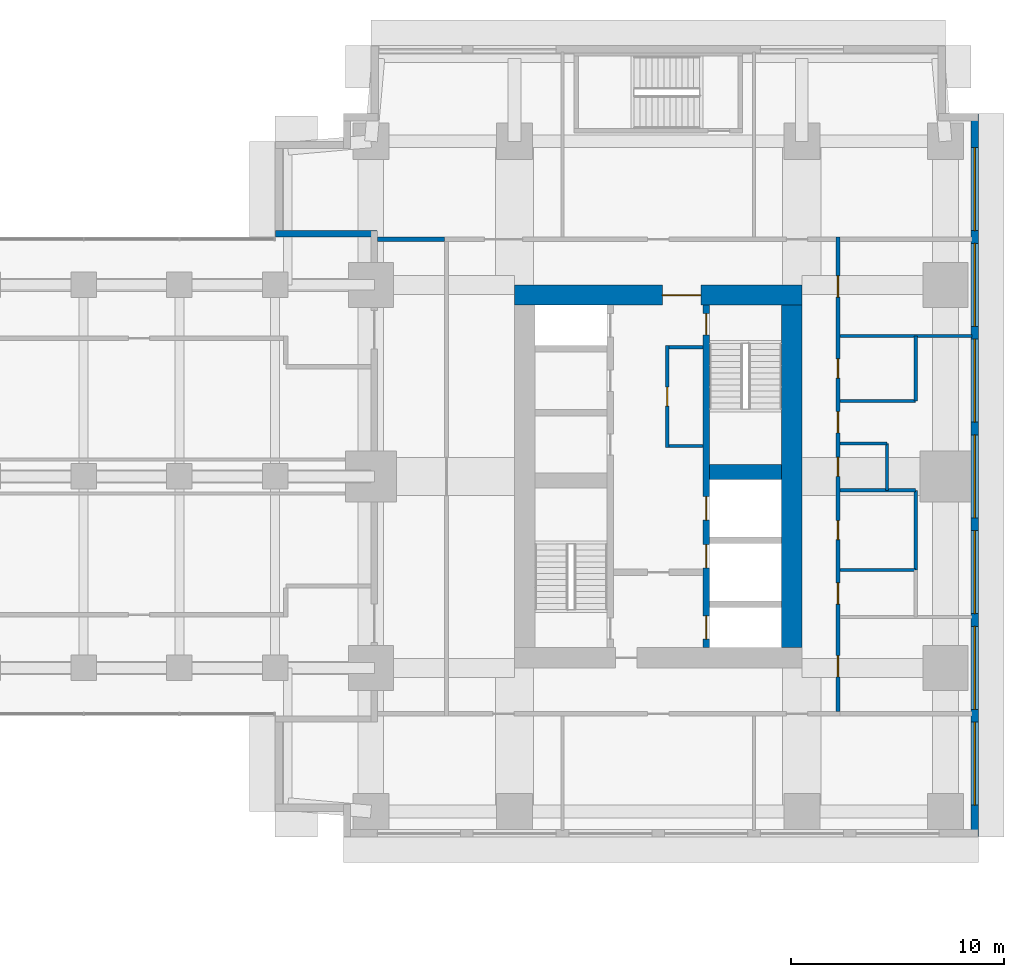
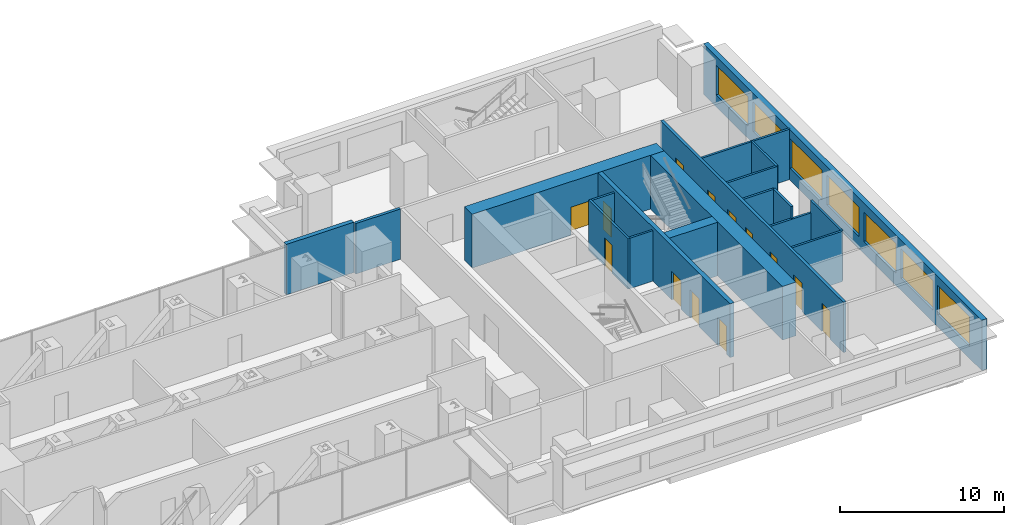
# One storey, part 11 of 16: 19 walls, 13 doors, 7 windows, 20 openings.
"""IFC4 building model written with IfcOpenShell, lengths in metres."""

from ifc_helpers import new_model, si_unit, direction, frame, frame_2d, origin, place, context, subcontext, project, spatial, rectangle, extrude, material, layer, layer_set, type_object, element, fill, save


model = new_model("IFC4")

# Units and contexts
model_context = context("Model", 3, precision=1e-05, world=origin(), true_north=direction((0.0, 1.0)))
body_context = subcontext(model_context, "Body", "Model", "MODEL_VIEW")
ifc_project = project(units=[si_unit("LENGTHUNIT", "METRE"), si_unit("AREAUNIT", "SQUARE_METRE"), si_unit("VOLUMEUNIT", "CUBIC_METRE"), si_unit("PLANEANGLEUNIT", "RADIAN"), si_unit("MASSUNIT", "GRAM", prefix="KILO")], contexts=[model_context])

# Site, building, storey
site_placement = place(None, origin())
site = spatial("IfcSite", under=ifc_project, at=site_placement, CompositionType="ELEMENT")
building_placement = place(site_placement, origin())
building = spatial("IfcBuilding", under=site, at=building_placement, Name="Namib Vertical Campus", CompositionType="ELEMENT")
storey_placement = place(building_placement, frame((0.0, 0.0, 117.0)))
storey = spatial("IfcBuildingStorey", under=building, at=storey_placement, Name="L27", CompositionType="ELEMENT", Elevation=117.0)

# Wall, openings, doors
ifc_material_1 = material(Name="Concrete C60/75", Category="concrete")
ifc_layer_1 = layer(ifc_material_1, 0.300048828125)
ifc_layer_set_1 = layer_set([ifc_layer_1], Name="Concrete C60/75")
wall_type_1 = type_object("IfcWallType", Name="Core inner wall 300", PredefinedType="SHEAR", material=ifc_layer_set_1)
wall_1_placement = place(storey_placement, frame((83.25, 12.199951171875, 0.0), z_axis=(0.0, 0.0, 1.0), x_axis=(0.0, 1.0, 0.0)))
wall_1 = element("IfcWall", 1, at=wall_1_placement, inside=storey, type_object=wall_type_1, Name="Core inner wall B L27 W2", PredefinedType="SHEAR", context=body_context, shape_type="SweptSolid", body=[
    extrude(rectangle(XDim=16.10009765625, YDim=0.300048828125, at=frame_2d((8.050048828125, 0.0))), origin(), (0.0, 0.0, 1.0), 4.0),
])
opening_1_placement = place(wall_1_placement, frame((14.699951171875, 0.0, 0.0)))
opening_1 = element("IfcOpeningElement", 2, at=opening_1_placement, cuts=wall_1, Name="Opening FD1", PredefinedType="OPENING", context=body_context, shape_type="SweptSolid", body=[
    extrude(rectangle(XDim=1.0, YDim=2.10009765625, at=frame_2d((0.5, 1.050048828125))), frame((0.0, 0.159912109375, 0.0), z_axis=(0.0, -1.0, 0.0), x_axis=(1.0, 0.0, 0.0)), (0.0, 0.0, 1.0), 0.320068359375),
])
opening_2_placement = place(wall_1_placement, frame((0.39990234375, 0.0, 0.0)))
opening_2 = element("IfcOpeningElement", 3, at=opening_2_placement, cuts=wall_1, Name="Opening LD1", PredefinedType="OPENING", context=body_context, shape_type="SweptSolid", body=[
    extrude(rectangle(XDim=1.10009765625, YDim=2.10009765625, at=frame_2d((0.550048828125, 1.050048828125))), frame((0.0, 0.159912109375, 0.0), z_axis=(0.0, -1.0, 0.0), x_axis=(1.0, 0.0, 0.0)), (0.0, 0.0, 1.0), 0.320068359375),
])
opening_3_placement = place(wall_1_placement, frame((3.75, 0.0, 0.0)))
opening_3 = element("IfcOpeningElement", 4, at=opening_3_placement, cuts=wall_1, Name="Opening LD1", PredefinedType="OPENING", context=body_context, shape_type="SweptSolid", body=[
    extrude(rectangle(XDim=1.10009765625, YDim=2.10009765625, at=frame_2d((0.550048828125, 1.050048828125))), frame((0.0, 0.159912109375, 0.0), z_axis=(0.0, -1.0, 0.0), x_axis=(1.0, 0.0, 0.0)), (0.0, 0.0, 1.0), 0.320068359375),
])
opening_4_placement = place(wall_1_placement, frame((6.0, 0.0, 0.0)))
opening_4 = element("IfcOpeningElement", 5, at=opening_4_placement, cuts=wall_1, Name="Opening LD1", PredefinedType="OPENING", context=body_context, shape_type="SweptSolid", body=[
    extrude(rectangle(XDim=1.10009765625, YDim=2.10009765625, at=frame_2d((0.550048828125, 1.050048828125))), frame((0.0, 0.159912109375, 0.0), z_axis=(0.0, -1.0, 0.0), x_axis=(1.0, 0.0, 0.0)), (0.0, 0.0, 1.0), 0.320068359375),
])
ifc_material_2 = material(Name="Steel fire door", Category="steel")
door_type_1 = type_object("IfcDoorType", Name="Fire door 1000x2100", OperationType="SINGLE_SWING_RIGHT", PredefinedType="DOOR", material=ifc_material_2)
door_1_placement = place(opening_1_placement, frame((1.0, 0.0, 0.0), z_axis=(0.0, 0.0, 1.0), x_axis=(-1.0, 0.0, 0.0)))
door_1 = element("IfcDoor", 6, at=door_1_placement, inside=storey, type_object=door_type_1, Name="Stair door FD1 B L27 S2", OperationType="SINGLE_SWING_LEFT", OverallHeight=2.10009765625, OverallWidth=1.0, PredefinedType="DOOR", context=body_context, shape_type="SweptSolid", body=[
    extrude(rectangle(XDim=1.0, YDim=2.10009765625, at=frame_2d((0.5, 1.050048828125))), frame((0.0, 0.02490234375, 0.0), z_axis=(0.0, -1.0, 0.0), x_axis=(1.0, 0.0, 0.0)), (0.0, 0.0, 1.0), 0.050048828125),
])
fill(opening_1, door_1)
ifc_material_3 = material(Name="Stainless steel lift door", Category="steel")
door_type_2 = type_object("IfcDoorType", Name="Lift landing door 1100x2100", OperationType="DOUBLE_DOOR_SLIDING", PredefinedType="DOOR", material=ifc_material_3)
door_2_placement = place(opening_2_placement, origin())
door_2 = element("IfcDoor", 7, at=door_2_placement, inside=storey, type_object=door_type_2, Name="Lift landing door LD1 B-FL1 L27", OperationType="DOUBLE_DOOR_SLIDING", OverallHeight=2.10009765625, OverallWidth=1.10009765625, PredefinedType="DOOR", context=body_context, shape_type="SweptSolid", body=[
    extrude(rectangle(XDim=1.10009765625, YDim=2.10009765625, at=frame_2d((0.550048828125, 1.050048828125))), frame((0.0, 0.02490234375, 0.0), z_axis=(0.0, -1.0, 0.0), x_axis=(1.0, 0.0, 0.0)), (0.0, 0.0, 1.0), 0.050048828125),
])
fill(opening_2, door_2)
door_3_placement = place(opening_3_placement, origin())
door_3 = element("IfcDoor", 8, at=door_3_placement, inside=storey, type_object=door_type_2, Name="Lift landing door LD1 B-P4 L27", OperationType="DOUBLE_DOOR_SLIDING", OverallHeight=2.10009765625, OverallWidth=1.10009765625, PredefinedType="DOOR", context=body_context, shape_type="SweptSolid", body=[
    extrude(rectangle(XDim=1.10009765625, YDim=2.10009765625, at=frame_2d((0.550048828125, 1.050048828125))), frame((0.0, 0.02490234375, 0.0), z_axis=(0.0, -1.0, 0.0), x_axis=(1.0, 0.0, 0.0)), (0.0, 0.0, 1.0), 0.050048828125),
])
fill(opening_3, door_3)
door_4_placement = place(opening_4_placement, origin())
door_4 = element("IfcDoor", 9, at=door_4_placement, inside=storey, type_object=door_type_2, Name="Lift landing door LD1 B-P5 L27", OperationType="DOUBLE_DOOR_SLIDING", OverallHeight=2.10009765625, OverallWidth=1.10009765625, PredefinedType="DOOR", context=body_context, shape_type="SweptSolid", body=[
    extrude(rectangle(XDim=1.10009765625, YDim=2.10009765625, at=frame_2d((0.550048828125, 1.050048828125))), frame((0.0, 0.02490234375, 0.0), z_axis=(0.0, -1.0, 0.0), x_axis=(1.0, 0.0, 0.0)), (0.0, 0.0, 1.0), 0.050048828125),
])
fill(opening_4, door_4)

# Walls
ifc_material_4 = material(Name="Concrete C60/75", Category="concrete")
ifc_layer_2 = layer(ifc_material_4, 0.699951171875)
ifc_layer_set_2 = layer_set([ifc_layer_2], Name="Concrete C60/75")
wall_type_2 = type_object("IfcWallType", Name="Core shear wall 700", PredefinedType="SHEAR", material=ifc_layer_set_2)
wall_2_placement = place(storey_placement, frame((83.39990234375, 20.449951171875, 0.0), z_axis=(0.0, 0.0, 1.0), x_axis=(1.0, 0.0, 0.0)))
element("IfcWall", 10, at=wall_2_placement, inside=storey, type_object=wall_type_2, Name="Core shear wall B L27 W7", PredefinedType="SHEAR", context=body_context, shape_type="SweptSolid", body=[
    extrude(rectangle(XDim=3.400146484375, YDim=0.699951171875, at=frame_2d((1.7001953125, 0.0))), origin(), (0.0, 0.0, 1.0), 4.0),
])
ifc_material_5 = material(Name="Concrete C60/75", Category="concrete")
ifc_layer_3 = layer(ifc_material_5, 0.949951171875)
ifc_layer_set_3 = layer_set([ifc_layer_3], Name="Concrete C60/75")
wall_type_3 = type_object("IfcWallType", Name="Core wall 950", PredefinedType="SHEAR", material=ifc_layer_set_3)
wall_3_placement = place(storey_placement, frame((87.27490234375, 12.199951171875, 0.0), z_axis=(0.0, 0.0, 1.0), x_axis=(0.0, 1.0, 0.0)))
element("IfcWall", 11, at=wall_3_placement, inside=storey, type_object=wall_type_3, Name="Core wall B L27 2", PredefinedType="SHEAR", context=body_context, shape_type="SweptSolid", body=[
    extrude(rectangle(XDim=16.10009765625, YDim=0.949951171875, at=frame_2d((8.050048828125, 0.0))), origin(), (0.0, 0.0, 1.0), 4.0),
])

# Wall, opening, door
wall_4_placement = place(storey_placement, frame((87.75, 28.77490234375, 0.0), z_axis=(0.0, 0.0, 1.0), x_axis=(-1.0, 0.0, 0.0)))
wall_4 = element("IfcWall", 12, at=wall_4_placement, inside=storey, type_object=wall_type_3, Name="Core wall B L27 3", PredefinedType="SHEAR", context=body_context, shape_type="SweptSolid", body=[
    extrude(rectangle(XDim=13.5, YDim=0.949951171875, at=frame_2d((6.75, 0.0))), origin(), (0.0, 0.0, 1.0), 4.0),
])
opening_5_placement = place(wall_4_placement, frame((4.75, 0.0, 0.0)))
opening_5 = element("IfcOpeningElement", 13, at=opening_5_placement, cuts=wall_4, Name="Opening FD2", PredefinedType="OPENING", context=body_context, shape_type="SweptSolid", body=[
    extrude(rectangle(XDim=1.800048828125, YDim=2.10009765625, at=frame_2d((0.89990234375, 1.050048828125))), frame((0.0, 0.48486328125, 0.0), z_axis=(0.0, -1.0, 0.0), x_axis=(1.0, 0.0, 0.0)), (0.0, 0.0, 1.0), 0.969970703125),
])
ifc_material_6 = material(Name="Steel fire door", Category="steel")
door_type_3 = type_object("IfcDoorType", Name="Fire door double 1800x2100", OperationType="DOUBLE_DOOR_SINGLE_SWING", PredefinedType="DOOR", material=ifc_material_6)
door_5_placement = place(opening_5_placement, origin())
door_5 = element("IfcDoor", 14, at=door_5_placement, inside=storey, type_object=door_type_3, Name="Lift lobby door FD2 B L27", OperationType="DOUBLE_DOOR_SINGLE_SWING", OverallHeight=2.10009765625, OverallWidth=1.800048828125, PredefinedType="DOOR", context=body_context, shape_type="SweptSolid", body=[
    extrude(rectangle(XDim=1.800048828125, YDim=2.10009765625, at=frame_2d((0.89990234375, 1.050048828125))), frame((0.0, 0.02490234375, 0.0), z_axis=(0.0, -1.0, 0.0), x_axis=(1.0, 0.0, 0.0)), (0.0, 0.0, 1.0), 0.050048828125),
])
fill(opening_5, door_5)

# Wall, openings, doors
ifc_material_7 = material(Name="Concrete masonry", Category="masonry")
ifc_layer_4 = layer(ifc_material_7, 0.199951171875)
ifc_layer_set_4 = layer_set([ifc_layer_4], Name="Corridor wall 200")
wall_type_4 = type_object("IfcWallType", Name="Corridor wall 200", PredefinedType="SOLIDWALL", material=ifc_layer_set_4)
wall_5_placement = place(storey_placement, frame((89.449951171875, 9.199951171875, 0.0), z_axis=(0.0, 0.0, 1.0), x_axis=(0.0, 1.0, 0.0)))
wall_5 = element("IfcWall", 15, at=wall_5_placement, inside=storey, type_object=wall_type_4, Name="Corridor wall B L27 CE", PredefinedType="SOLIDWALL", context=body_context, shape_type="SweptSolid", body=[
    extrude(rectangle(XDim=22.300048828125, YDim=0.199951171875, at=frame_2d((11.14990234375, 0.0))), origin(), (0.0, 0.0, 1.0), 3.75),
])
opening_6_placement = place(wall_5_placement, frame((1.625, 0.0, 0.0)))
opening_6 = element("IfcOpeningElement", 16, at=opening_6_placement, cuts=wall_5, Name="Opening CD1", PredefinedType="OPENING", context=body_context, shape_type="SweptSolid", body=[
    extrude(rectangle(XDim=1.0, YDim=2.10009765625, at=frame_2d((0.5, 1.050048828125))), frame((0.0, 0.10986328125, 0.0), z_axis=(0.0, -1.0, 0.0), x_axis=(1.0, 0.0, 0.0)), (0.0, 0.0, 1.0), 0.219970703125),
])
opening_7_placement = place(wall_5_placement, frame((5.050048828125, 0.0, 0.0)))
opening_7 = element("IfcOpeningElement", 17, at=opening_7_placement, cuts=wall_5, Name="Opening CD1", PredefinedType="OPENING", context=body_context, shape_type="SweptSolid", body=[
    extrude(rectangle(XDim=1.0, YDim=2.10009765625, at=frame_2d((0.5, 1.050048828125))), frame((0.0, 0.10986328125, 0.0), z_axis=(0.0, -1.0, 0.0), x_axis=(1.0, 0.0, 0.0)), (0.0, 0.0, 1.0), 0.219970703125),
])
opening_8_placement = place(wall_5_placement, frame((8.074951171875, 0.0, 0.0)))
opening_8 = element("IfcOpeningElement", 18, at=opening_8_placement, cuts=wall_5, Name="Opening CD3", PredefinedType="OPENING", context=body_context, shape_type="SweptSolid", body=[
    extrude(rectangle(XDim=0.89990234375, YDim=2.10009765625, at=frame_2d((0.449951171875, 1.050048828125))), frame((0.0, 0.10986328125, 0.0), z_axis=(0.0, -1.0, 0.0), x_axis=(1.0, 0.0, 0.0)), (0.0, 0.0, 1.0), 0.219970703125),
])
opening_9_placement = place(wall_5_placement, frame((11.050048828125, 0.0, 0.0)))
opening_9 = element("IfcOpeningElement", 19, at=opening_9_placement, cuts=wall_5, Name="Opening CD3", PredefinedType="OPENING", context=body_context, shape_type="SweptSolid", body=[
    extrude(rectangle(XDim=0.89990234375, YDim=2.10009765625, at=frame_2d((0.449951171875, 1.050048828125))), frame((0.0, 0.10986328125, 0.0), z_axis=(0.0, -1.0, 0.0), x_axis=(1.0, 0.0, 0.0)), (0.0, 0.0, 1.0), 0.219970703125),
])
opening_10_placement = place(wall_5_placement, frame((15.675048828125, 0.0, 0.0)))
opening_10 = element("IfcOpeningElement", 20, at=opening_10_placement, cuts=wall_5, Name="Opening CD3", PredefinedType="OPENING", context=body_context, shape_type="SweptSolid", body=[
    extrude(rectangle(XDim=0.89990234375, YDim=2.10009765625, at=frame_2d((0.449951171875, 1.050048828125))), frame((0.0, 0.10986328125, 0.0), z_axis=(0.0, -1.0, 0.0), x_axis=(1.0, 0.0, 0.0)), (0.0, 0.0, 1.0), 0.219970703125),
])
opening_11_placement = place(wall_5_placement, frame((13.10009765625, 0.0, 0.0)))
opening_11 = element("IfcOpeningElement", 21, at=opening_11_placement, cuts=wall_5, Name="Opening CD1", PredefinedType="OPENING", context=body_context, shape_type="SweptSolid", body=[
    extrude(rectangle(XDim=1.0, YDim=2.10009765625, at=frame_2d((0.5, 1.050048828125))), frame((0.0, 0.10986328125, 0.0), z_axis=(0.0, -1.0, 0.0), x_axis=(1.0, 0.0, 0.0)), (0.0, 0.0, 1.0), 0.219970703125),
])
opening_12_placement = place(wall_5_placement, frame((19.47509765625, 0.0, 0.0)))
opening_12 = element("IfcOpeningElement", 22, at=opening_12_placement, cuts=wall_5, Name="Opening CD1", PredefinedType="OPENING", context=body_context, shape_type="SweptSolid", body=[
    extrude(rectangle(XDim=1.0, YDim=2.10009765625, at=frame_2d((0.5, 1.050048828125))), frame((0.0, 0.10986328125, 0.0), z_axis=(0.0, -1.0, 0.0), x_axis=(1.0, 0.0, 0.0)), (0.0, 0.0, 1.0), 0.219970703125),
])
ifc_material_8 = material(Name="Timber fire door leaf", Category="wood")
door_type_4 = type_object("IfcDoorType", Name="Corridor door 1000x2100 20 min", OperationType="SINGLE_SWING_LEFT", PredefinedType="DOOR", material=ifc_material_8)
door_6_placement = place(opening_6_placement, frame((1.0, 0.0, 0.0), z_axis=(0.0, 0.0, 1.0), x_axis=(-1.0, 0.0, 0.0)))
door_6 = element("IfcDoor", 23, at=door_6_placement, inside=storey, type_object=door_type_4, Name="Door CD1 B27-04", OperationType="SINGLE_SWING_RIGHT", OverallHeight=2.10009765625, OverallWidth=1.0, PredefinedType="DOOR", context=body_context, shape_type="SweptSolid", body=[
    extrude(rectangle(XDim=1.0, YDim=2.10009765625, at=frame_2d((0.5, 1.050048828125))), frame((0.0, 0.02490234375, 0.0), z_axis=(0.0, -1.0, 0.0), x_axis=(1.0, 0.0, 0.0)), (0.0, 0.0, 1.0), 0.050048828125),
])
fill(opening_6, door_6)
door_7_placement = place(opening_7_placement, frame((1.0, 0.0, 0.0), z_axis=(0.0, 0.0, 1.0), x_axis=(-1.0, 0.0, 0.0)))
door_7 = element("IfcDoor", 24, at=door_7_placement, inside=storey, type_object=door_type_4, Name="Door CD1 B27-05", OperationType="SINGLE_SWING_RIGHT", OverallHeight=2.10009765625, OverallWidth=1.0, PredefinedType="DOOR", context=body_context, shape_type="SweptSolid", body=[
    extrude(rectangle(XDim=1.0, YDim=2.10009765625, at=frame_2d((0.5, 1.050048828125))), frame((0.0, 0.02490234375, 0.0), z_axis=(0.0, -1.0, 0.0), x_axis=(1.0, 0.0, 0.0)), (0.0, 0.0, 1.0), 0.050048828125),
])
fill(opening_7, door_7)
door_8_placement = place(opening_11_placement, frame((1.0, 0.0, 0.0), z_axis=(0.0, 0.0, 1.0), x_axis=(-1.0, 0.0, 0.0)))
door_8 = element("IfcDoor", 25, at=door_8_placement, inside=storey, type_object=door_type_4, Name="Door CD1 B27-09", OperationType="SINGLE_SWING_RIGHT", OverallHeight=2.10009765625, OverallWidth=1.0, PredefinedType="DOOR", context=body_context, shape_type="SweptSolid", body=[
    extrude(rectangle(XDim=1.0, YDim=2.10009765625, at=frame_2d((0.5, 1.050048828125))), frame((0.0, 0.02490234375, 0.0), z_axis=(0.0, -1.0, 0.0), x_axis=(1.0, 0.0, 0.0)), (0.0, 0.0, 1.0), 0.050048828125),
])
fill(opening_11, door_8)
door_9_placement = place(opening_12_placement, frame((1.0, 0.0, 0.0), z_axis=(0.0, 0.0, 1.0), x_axis=(-1.0, 0.0, 0.0)))
door_9 = element("IfcDoor", 26, at=door_9_placement, inside=storey, type_object=door_type_4, Name="Door CD1 B27-10", OperationType="SINGLE_SWING_RIGHT", OverallHeight=2.10009765625, OverallWidth=1.0, PredefinedType="DOOR", context=body_context, shape_type="SweptSolid", body=[
    extrude(rectangle(XDim=1.0, YDim=2.10009765625, at=frame_2d((0.5, 1.050048828125))), frame((0.0, 0.02490234375, 0.0), z_axis=(0.0, -1.0, 0.0), x_axis=(1.0, 0.0, 0.0)), (0.0, 0.0, 1.0), 0.050048828125),
])
fill(opening_12, door_9)
ifc_material_9 = material(Name="Timber fire door leaf", Category="wood")
door_type_5 = type_object("IfcDoorType", Name="Corridor toilet door 900x2100 20 min", OperationType="SINGLE_SWING_LEFT", PredefinedType="DOOR", material=ifc_material_9)
door_10_placement = place(opening_8_placement, frame((0.89990234375, 0.0, 0.0), z_axis=(0.0, 0.0, 1.0), x_axis=(-1.0, 0.0, 0.0)))
door_10 = element("IfcDoor", 27, at=door_10_placement, inside=storey, type_object=door_type_5, Name="Door CD3 B27-06", OperationType="SINGLE_SWING_RIGHT", OverallHeight=2.10009765625, OverallWidth=0.89990234375, PredefinedType="DOOR", context=body_context, shape_type="SweptSolid", body=[
    extrude(rectangle(XDim=0.89990234375, YDim=2.10009765625, at=frame_2d((0.449951171875, 1.050048828125))), frame((0.0, 0.02490234375, 0.0), z_axis=(0.0, -1.0, 0.0), x_axis=(1.0, 0.0, 0.0)), (0.0, 0.0, 1.0), 0.050048828125),
])
fill(opening_8, door_10)
door_11_placement = place(opening_9_placement, frame((0.89990234375, 0.0, 0.0), z_axis=(0.0, 0.0, 1.0), x_axis=(-1.0, 0.0, 0.0)))
door_11 = element("IfcDoor", 28, at=door_11_placement, inside=storey, type_object=door_type_5, Name="Door CD3 B27-07", OperationType="SINGLE_SWING_RIGHT", OverallHeight=2.10009765625, OverallWidth=0.89990234375, PredefinedType="DOOR", context=body_context, shape_type="SweptSolid", body=[
    extrude(rectangle(XDim=0.89990234375, YDim=2.10009765625, at=frame_2d((0.449951171875, 1.050048828125))), frame((0.0, 0.02490234375, 0.0), z_axis=(0.0, -1.0, 0.0), x_axis=(1.0, 0.0, 0.0)), (0.0, 0.0, 1.0), 0.050048828125),
])
fill(opening_9, door_11)
door_12_placement = place(opening_10_placement, frame((0.89990234375, 0.0, 0.0), z_axis=(0.0, 0.0, 1.0), x_axis=(-1.0, 0.0, 0.0)))
door_12 = element("IfcDoor", 29, at=door_12_placement, inside=storey, type_object=door_type_5, Name="Door CD3 B27-08", OperationType="SINGLE_SWING_RIGHT", OverallHeight=2.10009765625, OverallWidth=0.89990234375, PredefinedType="DOOR", context=body_context, shape_type="SweptSolid", body=[
    extrude(rectangle(XDim=0.89990234375, YDim=2.10009765625, at=frame_2d((0.449951171875, 1.050048828125))), frame((0.0, 0.02490234375, 0.0), z_axis=(0.0, -1.0, 0.0), x_axis=(1.0, 0.0, 0.0)), (0.0, 0.0, 1.0), 0.050048828125),
])
fill(opening_10, door_12)

# Wall
wall_6_placement = place(storey_placement, frame((67.800048828125, 31.39990234375, 0.0), z_axis=(0.0, 0.0, 1.0), x_axis=(1.0, 0.0, 0.0)))
element("IfcWall", 30, at=wall_6_placement, inside=storey, type_object=wall_type_4, Name="Partition B L27 BNW", PredefinedType="SOLIDWALL", context=body_context, shape_type="SweptSolid", body=[
    extrude(rectangle(XDim=3.14990234375, YDim=0.199951171875, at=frame_2d((1.574951171875, 0.0))), origin(), (0.0, 0.0, 1.0), 3.75),
])

# Wall, openings, windows
ifc_material_10 = material(Name="Concrete C40/50", Category="concrete")
ifc_layer_5 = layer(ifc_material_10, 0.35009765625)
ifc_layer_set_5 = layer_set([ifc_layer_5], Name="Concrete C40/50")
wall_type_5 = type_object("IfcWallType", Name="External wall 350 bush-hammered concrete", PredefinedType="STANDARD", material=ifc_layer_set_5)
wall_7_placement = place(storey_placement, frame((95.875, 3.320068359375, 0.0), z_axis=(0.0, 0.0, 1.0), x_axis=(0.0, 1.0, 0.0)))
wall_7 = element("IfcWall", 31, at=wall_7_placement, inside=storey, type_object=wall_type_5, Name="External wall L27 F05", PredefinedType="STANDARD", context=body_context, shape_type="SweptSolid", body=[
    extrude(rectangle(XDim=33.9599609375, YDim=0.35009765625, at=frame_2d((16.97998046875, 0.0))), origin(), (0.0, 0.0, 1.0), 3.75),
])
opening_13_placement = place(wall_7_placement, frame((1.47998046875, 0.0, 0.89990234375)))
opening_13 = element("IfcOpeningElement", 32, at=opening_13_placement, cuts=wall_7, Name="Opening W1", PredefinedType="OPENING", context=body_context, shape_type="SweptSolid", body=[
    extrude(rectangle(XDim=3.89990234375, YDim=2.199951171875, at=frame_2d((1.949951171875, 1.10009765625))), frame((0.0, 0.18505859375, 0.0), z_axis=(0.0, -1.0, 0.0), x_axis=(1.0, 0.0, 0.0)), (0.0, 0.0, 1.0), 0.3701171875),
])
opening_14_placement = place(wall_7_placement, frame((5.97998046875, 0.0, 0.89990234375)))
opening_14 = element("IfcOpeningElement", 33, at=opening_14_placement, cuts=wall_7, Name="Opening W1", PredefinedType="OPENING", context=body_context, shape_type="SweptSolid", body=[
    extrude(rectangle(XDim=3.89990234375, YDim=2.199951171875, at=frame_2d((1.949951171875, 1.10009765625))), frame((0.0, 0.18505859375, 0.0), z_axis=(0.0, -1.0, 0.0), x_axis=(1.0, 0.0, 0.0)), (0.0, 0.0, 1.0), 0.3701171875),
])
opening_15_placement = place(wall_7_placement, frame((10.47998046875, 0.0, 0.89990234375)))
opening_15 = element("IfcOpeningElement", 34, at=opening_15_placement, cuts=wall_7, Name="Opening W1", PredefinedType="OPENING", context=body_context, shape_type="SweptSolid", body=[
    extrude(rectangle(XDim=3.89990234375, YDim=2.199951171875, at=frame_2d((1.949951171875, 1.10009765625))), frame((0.0, 0.18505859375, 0.0), z_axis=(0.0, -1.0, 0.0), x_axis=(1.0, 0.0, 0.0)), (0.0, 0.0, 1.0), 0.3701171875),
])
opening_16_placement = place(wall_7_placement, frame((14.97998046875, 0.0, 0.89990234375)))
opening_16 = element("IfcOpeningElement", 35, at=opening_16_placement, cuts=wall_7, Name="Opening W1", PredefinedType="OPENING", context=body_context, shape_type="SweptSolid", body=[
    extrude(rectangle(XDim=3.89990234375, YDim=2.199951171875, at=frame_2d((1.949951171875, 1.10009765625))), frame((0.0, 0.18505859375, 0.0), z_axis=(0.0, -1.0, 0.0), x_axis=(1.0, 0.0, 0.0)), (0.0, 0.0, 1.0), 0.3701171875),
])
opening_17_placement = place(wall_7_placement, frame((19.47998046875, 0.0, 0.89990234375)))
opening_17 = element("IfcOpeningElement", 36, at=opening_17_placement, cuts=wall_7, Name="Opening W1", PredefinedType="OPENING", context=body_context, shape_type="SweptSolid", body=[
    extrude(rectangle(XDim=3.89990234375, YDim=2.199951171875, at=frame_2d((1.949951171875, 1.10009765625))), frame((0.0, 0.18505859375, 0.0), z_axis=(0.0, -1.0, 0.0), x_axis=(1.0, 0.0, 0.0)), (0.0, 0.0, 1.0), 0.3701171875),
])
opening_18_placement = place(wall_7_placement, frame((23.97998046875, 0.0, 0.89990234375)))
opening_18 = element("IfcOpeningElement", 37, at=opening_18_placement, cuts=wall_7, Name="Opening W1", PredefinedType="OPENING", context=body_context, shape_type="SweptSolid", body=[
    extrude(rectangle(XDim=3.89990234375, YDim=2.199951171875, at=frame_2d((1.949951171875, 1.10009765625))), frame((0.0, 0.18505859375, 0.0), z_axis=(0.0, -1.0, 0.0), x_axis=(1.0, 0.0, 0.0)), (0.0, 0.0, 1.0), 0.3701171875),
])
opening_19_placement = place(wall_7_placement, frame((28.47998046875, 0.0, 0.89990234375)))
opening_19 = element("IfcOpeningElement", 38, at=opening_19_placement, cuts=wall_7, Name="Opening W1", PredefinedType="OPENING", context=body_context, shape_type="SweptSolid", body=[
    extrude(rectangle(XDim=3.89990234375, YDim=2.199951171875, at=frame_2d((1.949951171875, 1.10009765625))), frame((0.0, 0.18505859375, 0.0), z_axis=(0.0, -1.0, 0.0), x_axis=(1.0, 0.0, 0.0)), (0.0, 0.0, 1.0), 0.3701171875),
])
ifc_material_11 = material(Name="Dark tinted glass in black aluminium frame", Category="aluminium")
window_type = type_object("IfcWindowType", Name="Ribbon window 3900x2200", PartitioningType="SINGLE_PANEL", PredefinedType="WINDOW", material=ifc_material_11)
window_1_placement = place(opening_13_placement, origin())
window_1 = element("IfcWindow", 39, at=window_1_placement, inside=storey, type_object=window_type, Name="Window W1 L27 F05-1", OverallHeight=2.199951171875, OverallWidth=3.89990234375, PartitioningType="SINGLE_PANEL", PredefinedType="WINDOW", context=body_context, shape_type="SweptSolid", body=[
    extrude(rectangle(XDim=3.89990234375, YDim=2.199951171875, at=frame_2d((1.949951171875, 1.10009765625))), frame((0.0, 0.030029296875, 0.0), z_axis=(0.0, -1.0, 0.0), x_axis=(1.0, 0.0, 0.0)), (0.0, 0.0, 1.0), 0.06005859375),
])
fill(opening_13, window_1)
window_2_placement = place(opening_14_placement, origin())
window_2 = element("IfcWindow", 40, at=window_2_placement, inside=storey, type_object=window_type, Name="Window W1 L27 F05-2", OverallHeight=2.199951171875, OverallWidth=3.89990234375, PartitioningType="SINGLE_PANEL", PredefinedType="WINDOW", context=body_context, shape_type="SweptSolid", body=[
    extrude(rectangle(XDim=3.89990234375, YDim=2.199951171875, at=frame_2d((1.949951171875, 1.10009765625))), frame((0.0, 0.030029296875, 0.0), z_axis=(0.0, -1.0, 0.0), x_axis=(1.0, 0.0, 0.0)), (0.0, 0.0, 1.0), 0.06005859375),
])
fill(opening_14, window_2)
window_3_placement = place(opening_15_placement, origin())
window_3 = element("IfcWindow", 41, at=window_3_placement, inside=storey, type_object=window_type, Name="Window W1 L27 F05-3", OverallHeight=2.199951171875, OverallWidth=3.89990234375, PartitioningType="SINGLE_PANEL", PredefinedType="WINDOW", context=body_context, shape_type="SweptSolid", body=[
    extrude(rectangle(XDim=3.89990234375, YDim=2.199951171875, at=frame_2d((1.949951171875, 1.10009765625))), frame((0.0, 0.030029296875, 0.0), z_axis=(0.0, -1.0, 0.0), x_axis=(1.0, 0.0, 0.0)), (0.0, 0.0, 1.0), 0.06005859375),
])
fill(opening_15, window_3)
window_4_placement = place(opening_16_placement, origin())
window_4 = element("IfcWindow", 42, at=window_4_placement, inside=storey, type_object=window_type, Name="Window W1 L27 F05-4", OverallHeight=2.199951171875, OverallWidth=3.89990234375, PartitioningType="SINGLE_PANEL", PredefinedType="WINDOW", context=body_context, shape_type="SweptSolid", body=[
    extrude(rectangle(XDim=3.89990234375, YDim=2.199951171875, at=frame_2d((1.949951171875, 1.10009765625))), frame((0.0, 0.030029296875, 0.0), z_axis=(0.0, -1.0, 0.0), x_axis=(1.0, 0.0, 0.0)), (0.0, 0.0, 1.0), 0.06005859375),
])
fill(opening_16, window_4)
window_5_placement = place(opening_17_placement, origin())
window_5 = element("IfcWindow", 43, at=window_5_placement, inside=storey, type_object=window_type, Name="Window W1 L27 F05-5", OverallHeight=2.199951171875, OverallWidth=3.89990234375, PartitioningType="SINGLE_PANEL", PredefinedType="WINDOW", context=body_context, shape_type="SweptSolid", body=[
    extrude(rectangle(XDim=3.89990234375, YDim=2.199951171875, at=frame_2d((1.949951171875, 1.10009765625))), frame((0.0, 0.030029296875, 0.0), z_axis=(0.0, -1.0, 0.0), x_axis=(1.0, 0.0, 0.0)), (0.0, 0.0, 1.0), 0.06005859375),
])
fill(opening_17, window_5)
window_6_placement = place(opening_18_placement, origin())
window_6 = element("IfcWindow", 44, at=window_6_placement, inside=storey, type_object=window_type, Name="Window W1 L27 F05-6", OverallHeight=2.199951171875, OverallWidth=3.89990234375, PartitioningType="SINGLE_PANEL", PredefinedType="WINDOW", context=body_context, shape_type="SweptSolid", body=[
    extrude(rectangle(XDim=3.89990234375, YDim=2.199951171875, at=frame_2d((1.949951171875, 1.10009765625))), frame((0.0, 0.030029296875, 0.0), z_axis=(0.0, -1.0, 0.0), x_axis=(1.0, 0.0, 0.0)), (0.0, 0.0, 1.0), 0.06005859375),
])
fill(opening_18, window_6)
window_7_placement = place(opening_19_placement, origin())
window_7 = element("IfcWindow", 45, at=window_7_placement, inside=storey, type_object=window_type, Name="Window W1 L27 F05-7", OverallHeight=2.199951171875, OverallWidth=3.89990234375, PartitioningType="SINGLE_PANEL", PredefinedType="WINDOW", context=body_context, shape_type="SweptSolid", body=[
    extrude(rectangle(XDim=3.89990234375, YDim=2.199951171875, at=frame_2d((1.949951171875, 1.10009765625))), frame((0.0, 0.030029296875, 0.0), z_axis=(0.0, -1.0, 0.0), x_axis=(1.0, 0.0, 0.0)), (0.0, 0.0, 1.0), 0.06005859375),
])
fill(opening_19, window_7)

# Wall
ifc_material_12 = material(Name="Concrete masonry", Category="masonry")
ifc_layer_6 = layer(ifc_material_12, 0.300048828125)
ifc_layer_set_6 = layer_set([ifc_layer_6], Name="Fire wall 300")
wall_type_6 = type_object("IfcWallType", Name="Fire wall 300", PredefinedType="SOLIDWALL", material=ifc_layer_set_6)
wall_8_placement = place(storey_placement, frame((63.02001953125, 31.64990234375, 0.0), z_axis=(0.0, 0.0, 1.0), x_axis=(1.0, 0.0, 0.0)))
element("IfcWall", 46, at=wall_8_placement, inside=storey, type_object=wall_type_6, Name="External wall L27 F14", PredefinedType="SOLIDWALL", context=body_context, shape_type="SweptSolid", body=[
    extrude(rectangle(XDim=4.760009765625, YDim=0.300048828125, at=frame_2d((2.3798828125, 0.0))), origin(), (0.0, 0.0, 1.0), 3.75),
])

# Wall, opening, door
ifc_material_13 = material(Name="Gypsum board on steel studs", Category="steel")
ifc_layer_7 = layer(ifc_material_13, 0.14990234375)
ifc_layer_set_7 = layer_set([ifc_layer_7], Name="Gypsum board on steel studs")
wall_type_7 = type_object("IfcWallType", Name="Partition 150", PredefinedType="PARTITIONING", material=ifc_layer_set_7)
wall_9_placement = place(storey_placement, frame((81.425048828125, 21.60009765625, 0.0), z_axis=(0.0, 0.0, 1.0), x_axis=(0.0, 1.0, 0.0)))
wall_9 = element("IfcWall", 47, at=wall_9_placement, inside=storey, type_object=wall_type_7, Name="Partition B L27 Staff pantry front", PredefinedType="PARTITIONING", context=body_context, shape_type="SweptSolid", body=[
    extrude(rectangle(XDim=4.7998046875, YDim=0.14990234375, at=frame_2d((2.39990234375, 0.0))), origin(), (0.0, 0.0, 1.0), 3.75),
])
opening_20_placement = place(wall_9_placement, frame((1.949951171875, 0.0, 0.0)))
opening_20 = element("IfcOpeningElement", 48, at=opening_20_placement, cuts=wall_9, Name="Opening D3", PredefinedType="OPENING", context=body_context, shape_type="SweptSolid", body=[
    extrude(rectangle(XDim=0.89990234375, YDim=2.10009765625, at=frame_2d((0.449951171875, 1.050048828125))), frame((0.0, 0.0849609375, 0.0), z_axis=(0.0, -1.0, 0.0), x_axis=(1.0, 0.0, 0.0)), (0.0, 0.0, 1.0), 0.169921875),
])
ifc_material_14 = material(Name="Timber door leaf", Category="wood")
door_type_6 = type_object("IfcDoorType", Name="Toilet door 900x2100", OperationType="SINGLE_SWING_LEFT", PredefinedType="DOOR", material=ifc_material_14)
door_13_placement = place(opening_20_placement, frame((0.89990234375, 0.0, 0.0), z_axis=(0.0, 0.0, 1.0), x_axis=(-1.0, 0.0, 0.0)))
door_13 = element("IfcDoor", 49, at=door_13_placement, inside=storey, type_object=door_type_6, Name="Door D3 Staff pantry B L27", OperationType="SINGLE_SWING_RIGHT", OverallHeight=2.10009765625, OverallWidth=0.89990234375, PredefinedType="DOOR", context=body_context, shape_type="SweptSolid", body=[
    extrude(rectangle(XDim=0.89990234375, YDim=2.10009765625, at=frame_2d((0.449951171875, 1.050048828125))), frame((0.0, 0.02490234375, 0.0), z_axis=(0.0, -1.0, 0.0), x_axis=(1.0, 0.0, 0.0)), (0.0, 0.0, 1.0), 0.050048828125),
])
fill(opening_20, door_13)

# Walls
for number, where, z_axis, x_axis, name in (
    (50, (81.5, 21.675048828125, 0.0), (0.0, 0.0, 1.0), (1.0, 0.0, 0.0), "Partition B L27 Staff pantry end 1"),
    (51, (81.5, 26.324951171875, 0.0), (0.0, 0.0, 1.0), (1.0, 0.0, 0.0), "Partition B L27 Staff pantry end 2"),
):
    element("IfcWall", number, at=place(storey_placement, frame(where, z_axis=z_axis, x_axis=x_axis)), inside=storey, type_object=wall_type_7, Name=name, PredefinedType="PARTITIONING", context=body_context, shape_type="SweptSolid", body=[
        extrude(rectangle(XDim=1.60009765625, YDim=0.14990234375, at=frame_2d((0.800048828125, 0.0))), origin(), (0.0, 0.0, 1.0), 3.75),
    ])
wall_10_placement = place(storey_placement, frame((89.550048828125, 26.85009765625, 0.0), z_axis=(0.0, 0.0, 1.0), x_axis=(1.0, 0.0, 0.0)))
element("IfcWall", 52, at=wall_10_placement, inside=storey, type_object=wall_type_7, Name="Partition B L27 PE2", PredefinedType="PARTITIONING", context=body_context, shape_type="SweptSolid", body=[
    extrude(rectangle(XDim=6.199951171875, YDim=0.14990234375, at=frame_2d((3.10009765625, 0.0))), origin(), (0.0, 0.0, 1.0), 3.75),
])
wall_11_placement = place(storey_placement, frame((89.550048828125, 15.85009765625, 0.0), z_axis=(0.0, 0.0, 1.0), x_axis=(1.0, 0.0, 0.0)))
element("IfcWall", 53, at=wall_11_placement, inside=storey, type_object=wall_type_7, Name="Partition B L27 WR1", PredefinedType="PARTITIONING", context=body_context, shape_type="SweptSolid", body=[
    extrude(rectangle(XDim=3.550048828125, YDim=0.14990234375, at=frame_2d((1.77490234375, 0.0))), origin(), (0.0, 0.0, 1.0), 3.75),
])
wall_12_placement = place(storey_placement, frame((89.550048828125, 19.60009765625, 0.0), z_axis=(0.0, 0.0, 1.0), x_axis=(1.0, 0.0, 0.0)))
element("IfcWall", 54, at=wall_12_placement, inside=storey, type_object=wall_type_7, Name="Partition B L27 WR2", PredefinedType="PARTITIONING", context=body_context, shape_type="SweptSolid", body=[
    extrude(rectangle(XDim=3.550048828125, YDim=0.14990234375, at=frame_2d((1.77490234375, 0.0))), origin(), (0.0, 0.0, 1.0), 2.85009765625),
])
wall_13_placement = place(storey_placement, frame((89.550048828125, 21.800048828125, 0.0), z_axis=(0.0, 0.0, 1.0), x_axis=(1.0, 0.0, 0.0)))
element("IfcWall", 55, at=wall_13_placement, inside=storey, type_object=wall_type_7, Name="Partition B L27 WR3", PredefinedType="PARTITIONING", context=body_context, shape_type="SweptSolid", body=[
    extrude(rectangle(XDim=2.199951171875, YDim=0.14990234375, at=frame_2d((1.10009765625, 0.0))), origin(), (0.0, 0.0, 1.0), 3.75),
])
wall_14_placement = place(storey_placement, frame((89.550048828125, 23.800048828125, 0.0), z_axis=(0.0, 0.0, 1.0), x_axis=(1.0, 0.0, 0.0)))
element("IfcWall", 56, at=wall_14_placement, inside=storey, type_object=wall_type_7, Name="Partition B L27 WR4", PredefinedType="PARTITIONING", context=body_context, shape_type="SweptSolid", body=[
    extrude(rectangle(XDim=3.550048828125, YDim=0.14990234375, at=frame_2d((1.77490234375, 0.0))), origin(), (0.0, 0.0, 1.0), 3.75),
])
wall_15_placement = place(storey_placement, frame((93.10009765625, 15.85009765625, 0.0), z_axis=(0.0, 0.0, 1.0), x_axis=(0.0, 1.0, 0.0)))
element("IfcWall", 57, at=wall_15_placement, inside=storey, type_object=wall_type_7, Name="Partition B L27 WB2", PredefinedType="PARTITIONING", context=body_context, shape_type="SweptSolid", body=[
    extrude(rectangle(XDim=3.75, YDim=0.14990234375, at=frame_2d((1.875, 0.0))), origin(), (0.0, 0.0, 1.0), 3.75),
])
wall_16_placement = place(storey_placement, frame((91.75, 19.60009765625, 0.0), z_axis=(0.0, 0.0, 1.0), x_axis=(0.0, 1.0, 0.0)))
element("IfcWall", 58, at=wall_16_placement, inside=storey, type_object=wall_type_7, Name="Partition B L27 WB3", PredefinedType="PARTITIONING", context=body_context, shape_type="SweptSolid", body=[
    extrude(rectangle(XDim=2.199951171875, YDim=0.14990234375, at=frame_2d((1.10009765625, 0.0))), origin(), (0.0, 0.0, 1.0), 3.75),
])
wall_17_placement = place(storey_placement, frame((93.10009765625, 23.800048828125, 0.0), z_axis=(0.0, 0.0, 1.0), x_axis=(0.0, 1.0, 0.0)))
element("IfcWall", 59, at=wall_17_placement, inside=storey, type_object=wall_type_7, Name="Partition B L27 WB4", PredefinedType="PARTITIONING", context=body_context, shape_type="SweptSolid", body=[
    extrude(rectangle(XDim=3.050048828125, YDim=0.14990234375, at=frame_2d((1.52490234375, 0.0))), origin(), (0.0, 0.0, 1.0), 3.75),
])

save(model, "model.ifc")
